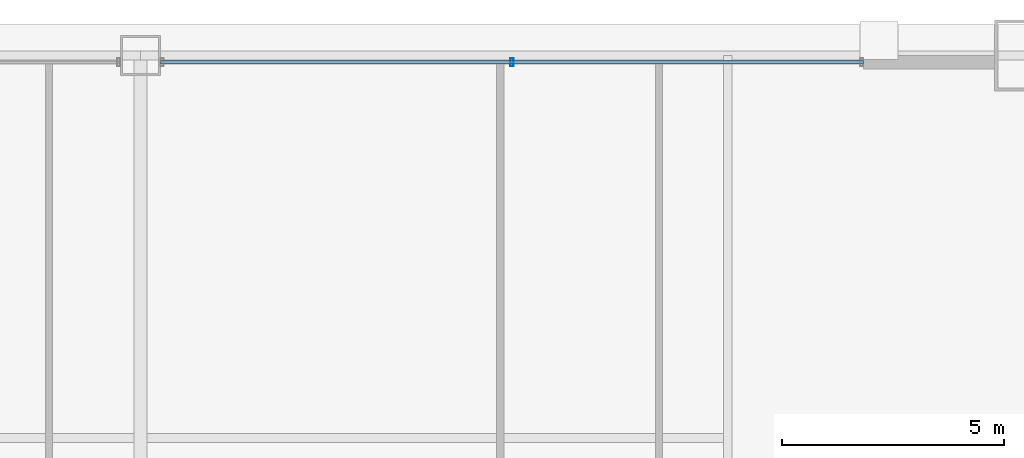
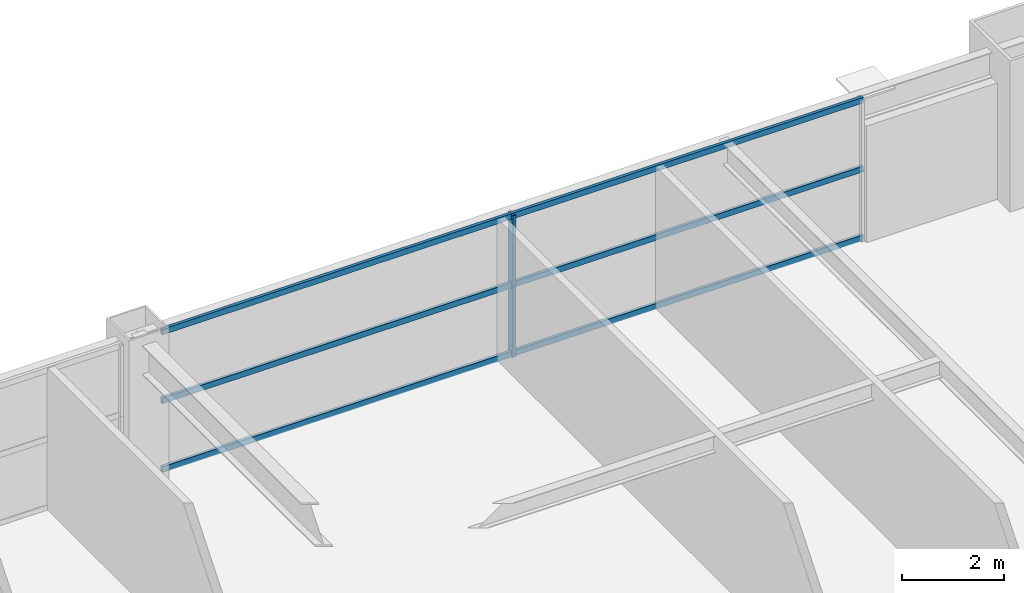
# One storey, part 30 of 38: 5 members, 1 element without a shape of its own.
"""IFC4 building model written with IfcOpenShell, lengths in metres."""

from ifc_helpers import new_model, si_unit, direction, frame, origin, origin_2d, place, context, subcontext, project, spatial, hollow_rectangle, extrude, source, transform, mapped, material, layer, layer_set, material_profile, profile_set, type_object, element, aggregate, save


model = new_model("IFC4")

# Units and contexts
model_context = context("Model", 3, precision=1e-05, world=origin(), true_north=direction((0.0, 1.0)))
body_context = subcontext(model_context, "Body", "Model", "MODEL_VIEW")
ifc_project = project(units=[si_unit("LENGTHUNIT", "METRE"), si_unit("AREAUNIT", "SQUARE_METRE"), si_unit("VOLUMEUNIT", "CUBIC_METRE"), si_unit("PLANEANGLEUNIT", "RADIAN"), si_unit("MASSUNIT", "GRAM", prefix="KILO"), si_unit("THERMODYNAMICTEMPERATUREUNIT", "KELVIN"), si_unit("POWERUNIT", "WATT")], contexts=[model_context])

# Site, building, storey
site_placement = place(None, origin())
site = spatial("IfcSite", under=ifc_project, at=site_placement, CompositionType="ELEMENT")
building_placement = place(site_placement, origin())
building = spatial("IfcBuilding", under=site, at=building_placement, Name="Yuzanri Waterfront Tower", CompositionType="ELEMENT")
storey_placement = place(building_placement, frame((0.0, 0.0, 111.800048828125)))
storey = spatial("IfcBuildingStorey", under=building, at=storey_placement, Name="L29", CompositionType="ELEMENT", Elevation=111.800048828125)

# Curtain wall, members
ifc_material_1 = material(Name="Anodized Architectural Bronze", Category="metal")
ifc_layer = layer(ifc_material_1, 0.159912109375)
ifc_layer_set = layer_set([ifc_layer], Name="Anodized Architectural Bronze")
curtain_wall_type = type_object("IfcCurtainWallType", Name="Anodized Bronze Hotel Upper-Tier Solar-Control Unitized Curtain Wall 7800", PredefinedType="NOTDEFINED", material=ifc_layer_set)
curtain_wall_placement = place(storey_placement, origin())
curtain_wall = element("IfcCurtainWall", 1, at=curtain_wall_placement, inside=storey, type_object=curtain_wall_type, Name="L29 Curtain Wall CW-L29-NR", PredefinedType="NOTDEFINED")
ifc_material_2 = material(Name="Anodized Architectural Bronze", Category="metal")
ifc_material_profile_1 = material_profile(ifc_material_2, hollow_rectangle(XDim=0.070068359375, YDim=0.179931640625, WallThickness=0.00390625, at=origin_2d()), Name="CWM 70x180")
ifc_profile_set_1 = profile_set([ifc_material_profile_1], Name="Anodized Architectural Bronze")
member_type_1 = type_object("IfcMemberType", Name="Anodized Bronze Standard Curtain-Wall Mullion 70x180", PredefinedType="MULLION", material=ifc_profile_set_1)
shared_shape_1 = source(origin(), body_context, "Body", "SweptSolid", [
    extrude(hollow_rectangle(XDim=0.070068359375, YDim=0.179931640625, WallThickness=0.00390625, at=origin_2d()), origin(), (0.0, 0.0, 1.0), 1.68798828125),
])
member_1_placement = place(storey_placement, frame((45.35009765625, 49.25, 0.0), z_axis=(0.0, 0.0, 1.0), x_axis=(1.0, 0.0, 0.0)))
member_1 = element("IfcMember", 2, at=member_1_placement, type_object=member_type_1, Name="CW-L29-NR Lower Mullion 01", PredefinedType="MULLION", context=body_context, shape_type="MappedRepresentation", body=[
    mapped(shared_shape_1, transform((0.0, 0.0, 0.0), scale=1.0)),
])
member_2_placement = place(storey_placement, frame((45.35009765625, 49.25, 1.69189453125), z_axis=(0.0, 0.0, 1.0), x_axis=(1.0, 0.0, 0.0)))
member_2 = element("IfcMember", 3, at=member_2_placement, type_object=member_type_1, Name="CW-L29-NR Upper Mullion 01", PredefinedType="MULLION", context=body_context, shape_type="MappedRepresentation", body=[
    mapped(shared_shape_1, transform((0.0, 0.0, 0.0), scale=1.0)),
])
ifc_material_3 = material(Name="Anodized Architectural Bronze", Category="metal")
ifc_material_profile_2 = material_profile(ifc_material_3, hollow_rectangle(XDim=0.070068359375, YDim=0.135009765625, WallThickness=0.00341796875, at=origin_2d()), Name="CWT 70x135")
ifc_profile_set_2 = profile_set([ifc_material_profile_2], Name="Anodized Architectural Bronze")
member_type_2 = type_object("IfcMemberType", Name="Anodized Bronze Standard Curtain-Wall Transom 70x135", PredefinedType="USERDEFINED", material=ifc_profile_set_2)
shared_shape_2 = source(origin(), body_context, "Body", "SweptSolid", [
    extrude(hollow_rectangle(XDim=0.070068359375, YDim=0.135009765625, WallThickness=0.00341796875, at=origin_2d()), origin(), (0.0, 0.0, 1.0), 15.800048828125),
])
member_3_placement = place(storey_placement, frame((37.449951171875, 49.25, 0.050048828125), z_axis=(1.0, 0.0, 0.0), x_axis=(0.0, 1.0, 0.0)))
member_3 = element("IfcMember", 4, at=member_3_placement, type_object=member_type_2, Name="CW-L29-NR Transom 1", ObjectType="TRANSOM", PredefinedType="USERDEFINED", context=body_context, shape_type="MappedRepresentation", body=[
    mapped(shared_shape_2, transform((0.0, 0.0, 0.0), scale=1.0)),
])
member_4_placement = place(storey_placement, frame((37.449951171875, 49.25, 1.68994140625), z_axis=(1.0, 0.0, 0.0), x_axis=(0.0, 1.0, 0.0)))
member_4 = element("IfcMember", 5, at=member_4_placement, type_object=member_type_2, Name="CW-L29-NR Transom 2", ObjectType="TRANSOM", PredefinedType="USERDEFINED", context=body_context, shape_type="MappedRepresentation", body=[
    mapped(shared_shape_2, transform((0.0, 0.0, 0.0), scale=1.0)),
])
member_5_placement = place(storey_placement, frame((37.449951171875, 49.25, 3.329833984375), z_axis=(1.0, 0.0, 0.0), x_axis=(0.0, 1.0, 0.0)))
member_5 = element("IfcMember", 6, at=member_5_placement, type_object=member_type_2, Name="CW-L29-NR Transom 3", ObjectType="TRANSOM", PredefinedType="USERDEFINED", context=body_context, shape_type="MappedRepresentation", body=[
    mapped(shared_shape_2, transform((0.0, 0.0, 0.0), scale=1.0)),
])
aggregate(curtain_wall, [member_1, member_2, member_3, member_4, member_5])

save(model, "model.ifc")
